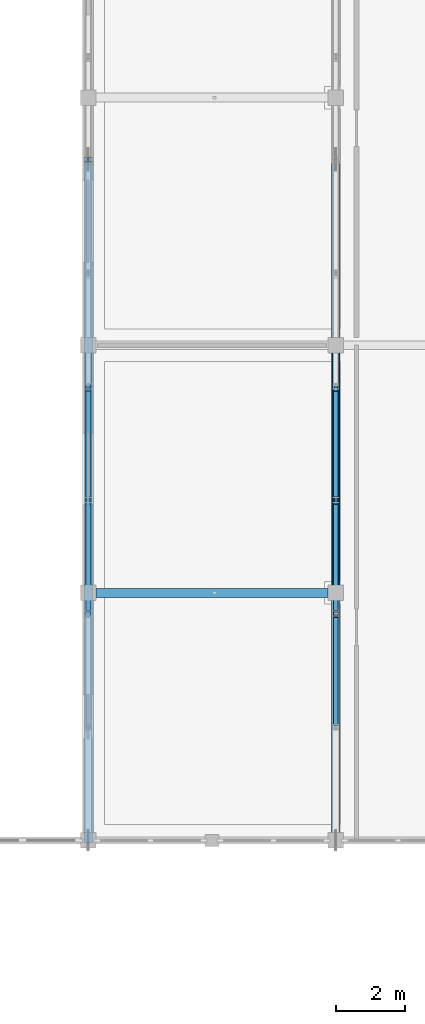
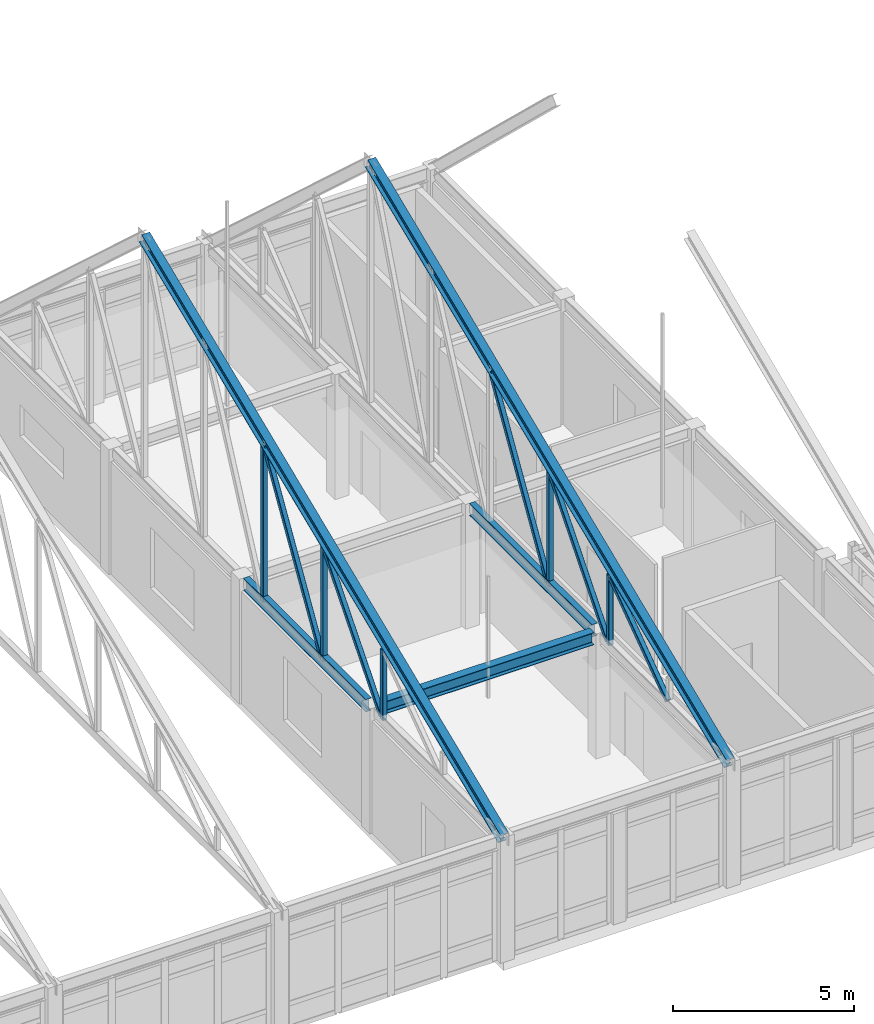
# One storey, part 33 of 136: 12 members, 3 beams.
"""IFC4 building model written with IfcOpenShell, lengths in metres."""

from ifc_helpers import new_model, si_unit, direction, frame, origin, origin_2d, place, context, subcontext, project, spatial, hollow_rectangle, i_section, extrude, material, material_profile, profile_set, type_object, element, save


model = new_model("IFC4")

# Units and contexts
model_context = context("Model", 3, precision=1e-05, world=origin(), true_north=direction((0.0, 1.0)))
body_context = subcontext(model_context, "Body", "Model", "MODEL_VIEW")
ifc_project = project(units=[si_unit("LENGTHUNIT", "METRE"), si_unit("AREAUNIT", "SQUARE_METRE"), si_unit("VOLUMEUNIT", "CUBIC_METRE"), si_unit("PLANEANGLEUNIT", "RADIAN"), si_unit("MASSUNIT", "GRAM", prefix="KILO")], contexts=[model_context])

# Site, building, storey
site_placement = place(None, origin())
site = spatial("IfcSite", under=ifc_project, at=site_placement, CompositionType="ELEMENT")
building_placement = place(site_placement, origin())
building = spatial("IfcBuilding", under=site, at=building_placement, Name="Koriwan Promenade Central Fire Station", CompositionType="ELEMENT")
storey_placement = place(building_placement, frame((0.0, 0.0, 5.39990234375)))
storey = spatial("IfcBuildingStorey", under=building, at=storey_placement, Name="L01", CompositionType="ELEMENT", Elevation=5.39990234375)

# Members
ifc_material_1 = material(Name="Steel ASTM A992 Grade 50", Category="steel")
ifc_material_profile_1 = material_profile(ifc_material_1, i_section(OverallWidth=0.257080078125, OverallDepth=0.363037109375, WebThickness=0.012939453125, FlangeThickness=0.021728515625, FilletRadius=0.014892578125, at=origin_2d()), Name="W360x122")
ifc_profile_set_1 = profile_set([ifc_material_profile_1], Name="Steel ASTM A992 Grade 50")
member_type_1 = type_object("IfcMemberType", Name="Member_CHORD_W360x122", PredefinedType="CHORD", material=ifc_profile_set_1)
for number, where, z_axis, x_axis, name in (
    (1, (100.800048828125, 43.199951171875, 4.02001953125), (0.0, 0.923565717983, 0.383440170777), (-1.0, 0.0, 0.0), "TR_V1_07 south top chord"),
    (2, (108.0, 43.199951171875, 4.02001953125), (0.0, 0.923565717983, 0.383440170777), (-1.0, 0.0, 0.0), "TR_V1_08 south top chord"),
):
    element("IfcMember", number, at=place(storey_placement, frame(where, z_axis=z_axis, x_axis=x_axis)), inside=storey, type_object=member_type_1, Name=name, PredefinedType="CHORD", context=body_context, shape_type="SweptSolid", body=[
        extrude(i_section(OverallWidth=0.257080078125, OverallDepth=0.363037109375, WebThickness=0.012939453125, FlangeThickness=0.021728515625, FilletRadius=0.014892578125, at=origin_2d()), origin(), (0.0, 0.0, 1.0), 21.438720703125),
    ])
ifc_material_2 = material(Name="Steel ASTM A500 Grade C", Category="steel")
ifc_material_profile_2 = material_profile(ifc_material_2, hollow_rectangle(XDim=0.14990234375, YDim=0.14990234375, WallThickness=0.008056640625, InnerFilletRadius=0.008056640625, OuterFilletRadius=0.01611328125, at=origin_2d()), Name="HSS150x150x8")
ifc_profile_set_2 = profile_set([ifc_material_profile_2], Name="Steel ASTM A500 Grade C")
member_type_2 = type_object("IfcMemberType", Name="Member_STRUT_HSS150x150x8", PredefinedType="STRUT", material=ifc_profile_set_2)
member_1_placement = place(storey_placement, frame((100.800048828125, 49.800048828125, 4.02001953125), z_axis=(0.0, 0.0, 1.0), x_axis=(1.0, 0.0, 0.0)))
element("IfcMember", 3, at=member_1_placement, inside=storey, type_object=member_type_2, Name="TR_V1_07 vertical 2", PredefinedType="STRUT", context=body_context, shape_type="SweptSolid", body=[
    extrude(hollow_rectangle(XDim=0.14990234375, YDim=0.14990234375, WallThickness=0.008056640625, InnerFilletRadius=0.008056640625, OuterFilletRadius=0.01611328125, at=origin_2d()), origin(), (0.0, 0.0, 1.0), 2.353759765625),
])
member_2_placement = place(storey_placement, frame((100.800048828125, 53.10009765625, 4.02001953125), z_axis=(0.0, 0.0, 1.0), x_axis=(1.0, 0.0, 0.0)))
element("IfcMember", 4, at=member_2_placement, inside=storey, type_object=member_type_2, Name="TR_V1_07 vertical 3", PredefinedType="STRUT", context=body_context, shape_type="SweptSolid", body=[
    extrude(hollow_rectangle(XDim=0.14990234375, YDim=0.14990234375, WallThickness=0.008056640625, InnerFilletRadius=0.008056640625, OuterFilletRadius=0.01611328125, at=origin_2d()), origin(), (0.0, 0.0, 1.0), 3.8203125),
])
member_3_placement = place(storey_placement, frame((100.800048828125, 56.39990234375, 4.02001953125), z_axis=(0.0, 0.0, 1.0), x_axis=(1.0, 0.0, 0.0)))
element("IfcMember", 5, at=member_3_placement, inside=storey, type_object=member_type_2, Name="TR_V1_07 vertical 4", PredefinedType="STRUT", context=body_context, shape_type="SweptSolid", body=[
    extrude(hollow_rectangle(XDim=0.14990234375, YDim=0.14990234375, WallThickness=0.008056640625, InnerFilletRadius=0.008056640625, OuterFilletRadius=0.01611328125, at=origin_2d()), origin(), (0.0, 0.0, 1.0), 5.287109375),
])
member_4_placement = place(storey_placement, frame((100.800048828125, 49.8798828125, 4.070068359375), z_axis=(0.0, 0.645015567138, 0.764169430264), x_axis=(-1.0, 0.0, 0.0)))
element("IfcMember", 6, at=member_4_placement, inside=storey, type_object=member_type_2, Name="TR_V1_07 web diagonal 3", PredefinedType="STRUT", context=body_context, shape_type="SweptSolid", body=[
    extrude(hollow_rectangle(XDim=0.14990234375, YDim=0.14990234375, WallThickness=0.008056640625, InnerFilletRadius=0.008056640625, OuterFilletRadius=0.01611328125, at=origin_2d()), origin(), (0.0, 0.0, 1.0), 4.868408203125),
])
member_5_placement = place(storey_placement, frame((100.800048828125, 53.179931640625, 4.070068359375), z_axis=(0.0, 0.517878675353, 0.855454076859), x_axis=(-1.0, 0.0, 0.0)))
element("IfcMember", 7, at=member_5_placement, inside=storey, type_object=member_type_2, Name="TR_V1_07 web diagonal 4", PredefinedType="STRUT", context=body_context, shape_type="SweptSolid", body=[
    extrude(hollow_rectangle(XDim=0.14990234375, YDim=0.14990234375, WallThickness=0.008056640625, InnerFilletRadius=0.008056640625, OuterFilletRadius=0.01611328125, at=origin_2d()), origin(), (0.0, 0.0, 1.0), 6.0634765625),
])
member_6_placement = place(storey_placement, frame((108.0, 49.800048828125, 4.02001953125), z_axis=(0.0, 0.0, 1.0), x_axis=(1.0, 0.0, 0.0)))
element("IfcMember", 8, at=member_6_placement, inside=storey, type_object=member_type_2, Name="TR_V1_08 vertical 2", PredefinedType="STRUT", context=body_context, shape_type="SweptSolid", body=[
    extrude(hollow_rectangle(XDim=0.14990234375, YDim=0.14990234375, WallThickness=0.008056640625, InnerFilletRadius=0.008056640625, OuterFilletRadius=0.01611328125, at=origin_2d()), origin(), (0.0, 0.0, 1.0), 2.353759765625),
])
member_7_placement = place(storey_placement, frame((108.0, 53.10009765625, 4.02001953125), z_axis=(0.0, 0.0, 1.0), x_axis=(1.0, 0.0, 0.0)))
element("IfcMember", 9, at=member_7_placement, inside=storey, type_object=member_type_2, Name="TR_V1_08 vertical 3", PredefinedType="STRUT", context=body_context, shape_type="SweptSolid", body=[
    extrude(hollow_rectangle(XDim=0.14990234375, YDim=0.14990234375, WallThickness=0.008056640625, InnerFilletRadius=0.008056640625, OuterFilletRadius=0.01611328125, at=origin_2d()), origin(), (0.0, 0.0, 1.0), 3.8203125),
])
member_8_placement = place(storey_placement, frame((108.0, 46.580078125, 4.070068359375), z_axis=(0.0, 0.812399692359, 0.583100968834), x_axis=(-1.0, 0.0, 0.0)))
element("IfcMember", 10, at=member_8_placement, inside=storey, type_object=member_type_2, Name="TR_V1_08 web diagonal 2", PredefinedType="STRUT", context=body_context, shape_type="SweptSolid", body=[
    extrude(hollow_rectangle(XDim=0.14990234375, YDim=0.14990234375, WallThickness=0.008056640625, InnerFilletRadius=0.008056640625, OuterFilletRadius=0.01611328125, at=origin_2d()), origin(), (0.0, 0.0, 1.0), 3.864990234375),
])
member_9_placement = place(storey_placement, frame((108.0, 49.8798828125, 4.070068359375), z_axis=(0.0, 0.645015567138, 0.764169430264), x_axis=(-1.0, 0.0, 0.0)))
element("IfcMember", 11, at=member_9_placement, inside=storey, type_object=member_type_2, Name="TR_V1_08 web diagonal 3", PredefinedType="STRUT", context=body_context, shape_type="SweptSolid", body=[
    extrude(hollow_rectangle(XDim=0.14990234375, YDim=0.14990234375, WallThickness=0.008056640625, InnerFilletRadius=0.008056640625, OuterFilletRadius=0.01611328125, at=origin_2d()), origin(), (0.0, 0.0, 1.0), 4.868408203125),
])
member_10_placement = place(storey_placement, frame((108.0, 53.179931640625, 4.070068359375), z_axis=(0.0, 0.517878675353, 0.855454076859), x_axis=(-1.0, 0.0, 0.0)))
element("IfcMember", 12, at=member_10_placement, inside=storey, type_object=member_type_2, Name="TR_V1_08 web diagonal 4", PredefinedType="STRUT", context=body_context, shape_type="SweptSolid", body=[
    extrude(hollow_rectangle(XDim=0.14990234375, YDim=0.14990234375, WallThickness=0.008056640625, InnerFilletRadius=0.008056640625, OuterFilletRadius=0.01611328125, at=origin_2d()), origin(), (0.0, 0.0, 1.0), 6.0634765625),
])

# Beams
ifc_material_profile_3 = material_profile(ifc_material_1, i_section(OverallWidth=0.260009765625, OverallDepth=0.4150390625, WebThickness=0.010009765625, FlangeThickness=0.016845703125, FilletRadius=0.01611328125, at=origin_2d()), Name="W410x100")
ifc_profile_set_3 = profile_set([ifc_material_profile_3], Name="Steel ASTM A992 Grade 50")
beam_type_1 = type_object("IfcBeamType", Name="SteelBeam_W410x100", PredefinedType="BEAM", material=ifc_profile_set_3)
beam_placement = place(storey_placement, frame((101.02490234375, 50.39990234375, 3.99267578125), z_axis=(1.0, 0.0, 0.0), x_axis=(0.0, 1.0, 0.0)))
element("IfcBeam", 13, at=beam_placement, inside=storey, type_object=beam_type_1, Name="V1 L01 girder X-49", PredefinedType="BEAM", context=body_context, shape_type="SweptSolid", body=[
    extrude(i_section(OverallWidth=0.260009765625, OverallDepth=0.4150390625, WebThickness=0.010009765625, FlangeThickness=0.016845703125, FilletRadius=0.01611328125, at=origin_2d()), origin(), (0.0, 0.0, 1.0), 6.75),
])
ifc_material_profile_4 = material_profile(ifc_material_1, i_section(OverallWidth=0.180908203125, OverallDepth=0.4169921875, WebThickness=0.010986328125, FlangeThickness=0.018310546875, FilletRadius=0.01611328125, at=origin_2d()), Name="W410x85")
ifc_profile_set_4 = profile_set([ifc_material_profile_4], Name="Steel ASTM A992 Grade 50")
beam_type_2 = type_object("IfcBeamType", Name="SteelBeam_W410x85", PredefinedType="BEAM", material=ifc_profile_set_4)
for number, where, z_axis, x_axis, name in (
    (14, (100.800048828125, 50.625, 3.99169921875), (0.0, 1.0, 0.0), (-1.0, 0.0, 0.0), "V1 L01 girder Y-71"),
    (15, (108.0, 50.625, 3.99169921875), (0.0, 1.0, 0.0), (-1.0, 0.0, 0.0), "V1 L01 girder Y-75"),
):
    element("IfcBeam", number, at=place(storey_placement, frame(where, z_axis=z_axis, x_axis=x_axis)), inside=storey, type_object=beam_type_2, Name=name, PredefinedType="BEAM", context=body_context, shape_type="SweptSolid", body=[
        extrude(i_section(OverallWidth=0.180908203125, OverallDepth=0.4169921875, WebThickness=0.010986328125, FlangeThickness=0.018310546875, FilletRadius=0.01611328125, at=origin_2d()), origin(), (0.0, 0.0, 1.0), 6.75),
    ])

save(model, "model.ifc")
